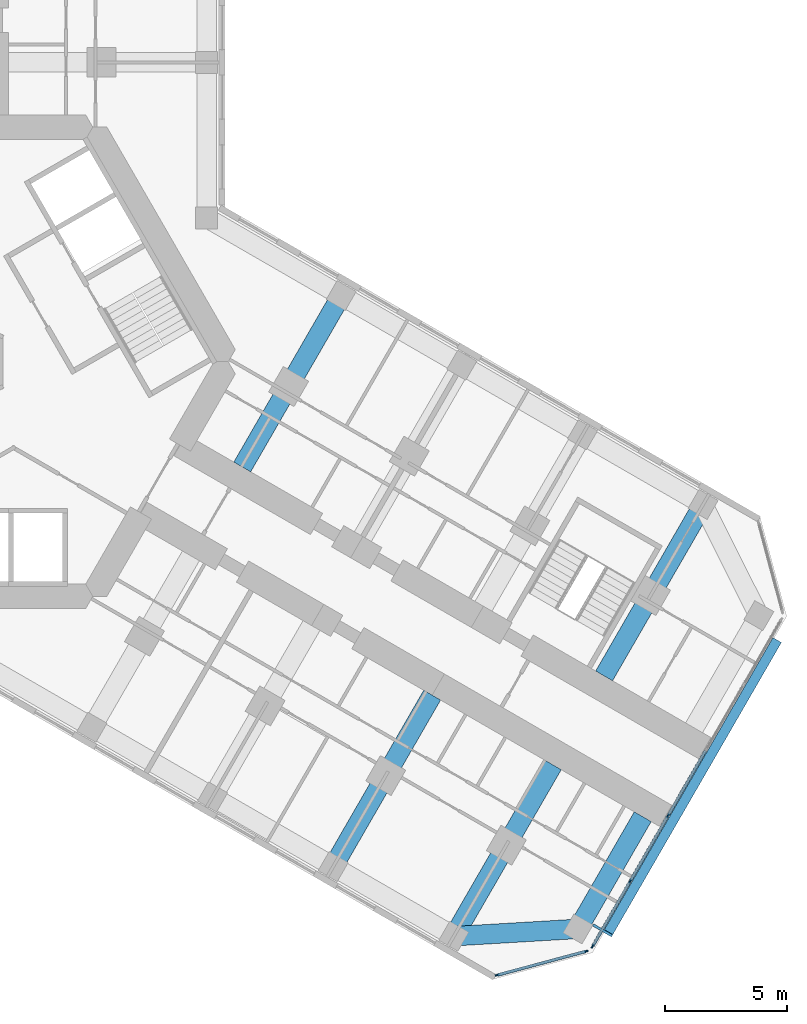
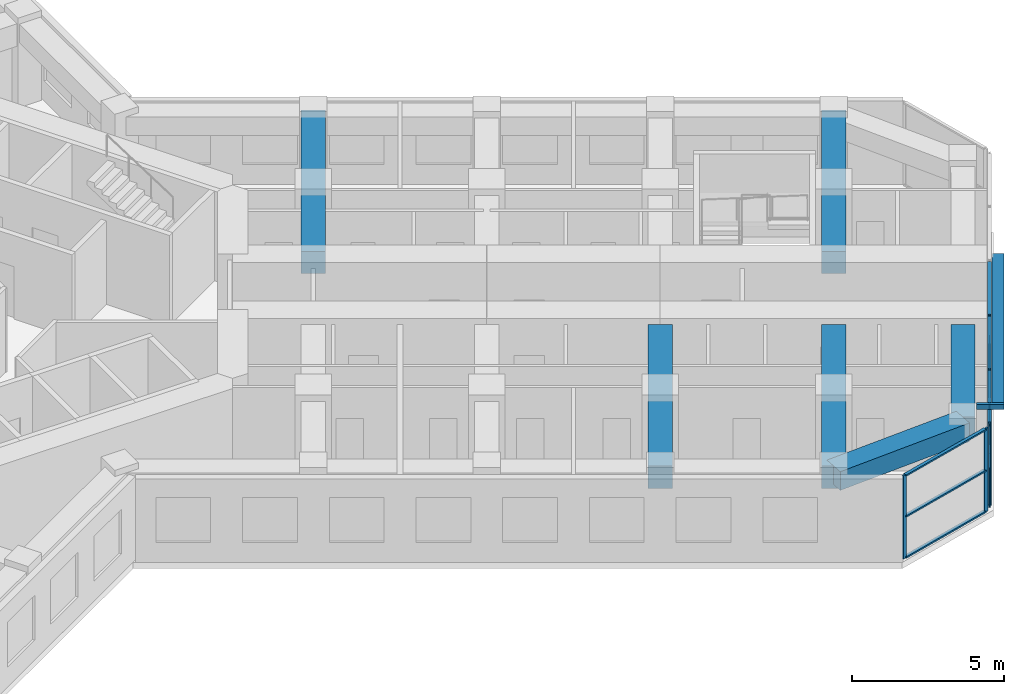
# One storey, part 5 of 21: 16 members, 6 beams, 2 elements without a shape of their own.
"""IFC4 building model written with IfcOpenShell, lengths in metres."""

from ifc_helpers import new_model, si_unit, direction, frame, origin, origin_2d, place, context, subcontext, project, spatial, rectangle, hollow_rectangle, extrude, material, material_profile, profile_set, type_object, element, aggregate, save


model = new_model("IFC4")

# Units and contexts
model_context = context("Model", 3, precision=1e-05, world=origin(), true_north=direction((0.0, 1.0)))
body_context = subcontext(model_context, "Body", "Model", "MODEL_VIEW")
ifc_project = project(units=[si_unit("LENGTHUNIT", "METRE"), si_unit("AREAUNIT", "SQUARE_METRE"), si_unit("VOLUMEUNIT", "CUBIC_METRE"), si_unit("PLANEANGLEUNIT", "RADIAN"), si_unit("MASSUNIT", "GRAM", prefix="KILO")], contexts=[model_context])

# Site, building, storey
site_placement = place(None, origin())
site = spatial("IfcSite", under=ifc_project, at=site_placement, CompositionType="ELEMENT")
building_placement = place(site_placement, origin())
building = spatial("IfcBuilding", under=site, at=building_placement, Name="Kosmar Iwan School Tower", CompositionType="ELEMENT")
storey_placement = place(building_placement, frame((0.0, 0.0, 80.800048828125)))
storey = spatial("IfcBuildingStorey", under=building, at=storey_placement, Name="L19", CompositionType="ELEMENT", Elevation=80.800048828125)

# Members
ifc_material_1 = material(Name="Black anodised aluminium", Category="aluminium")
ifc_material_profile_1 = material_profile(ifc_material_1, rectangle(XDim=0.10009765625, YDim=0.39990234375, at=origin_2d()), Name="FIN 100x400")
ifc_profile_set_1 = profile_set([ifc_material_profile_1], Name="Black anodised aluminium")
member_type_1 = type_object("IfcMemberType", Name="Diagonal fin 100x400", PredefinedType="USERDEFINED", material=ifc_profile_set_1)
member_1_placement = place(storey_placement, frame((33.54345703125, -11.40087890625, -0.150146484375), z_axis=(-0.483793446988, -0.837970316603, 0.25248692866), x_axis=(0.126241714543, 0.218661104574, 0.96760030532)))
element("IfcMember", 1, at=member_1_placement, inside=storey, type_object=member_type_1, Name="Diagonal fin L19-F03", ObjectType="FIN", PredefinedType="USERDEFINED", context=body_context, shape_type="SweptSolid", body=[
    extrude(rectangle(XDim=0.10009765625, YDim=0.39990234375, at=origin_2d()), origin(), (0.0, 0.0, 1.0), 14.258544921875),
])
ifc_material_2 = material(Name="Steel S355", Category="steel")
ifc_material_profile_2 = material_profile(ifc_material_2, hollow_rectangle(XDim=0.10009765625, YDim=0.199951171875, WallThickness=0.008056640625, at=origin_2d()), Name="RHS 200x100x8")
ifc_profile_set_2 = profile_set([ifc_material_profile_2], Name="Steel S355")
member_type_2 = type_object("IfcMemberType", Name="Fin bracket RHS 200x100", PredefinedType="USERDEFINED", material=ifc_profile_set_2)
member_2_placement = place(storey_placement, frame((26.01318359375, -23.0439453125, 3.474853515625), z_axis=(0.866013897511, -0.50001992892, 0.0), x_axis=(0.50001992892, 0.866013897511, 0.0)))
element("IfcMember", 2, at=member_2_placement, inside=storey, type_object=member_type_2, Name="Fin bracket L20", ObjectType="FIN BRACKET", PredefinedType="USERDEFINED", context=body_context, shape_type="SweptSolid", body=[
    extrude(hollow_rectangle(XDim=0.10009765625, YDim=0.199951171875, WallThickness=0.008056640625, at=origin_2d()), origin(), (0.0, 0.0, 1.0), 0.89990234375),
])

# Curtain wall, members
ifc_material_3 = material(Name="Dark glass in black aluminium frame", Category="aluminium")
curtain_wall_type_1 = type_object("IfcCurtainWallType", Name="Chamfer curtain wall dark glass", PredefinedType="USERDEFINED", material=ifc_material_3)
curtain_wall_1_placement = place(storey_placement, origin())
curtain_wall_1 = element("IfcCurtainWall", 3, at=curtain_wall_1_placement, inside=storey, type_object=curtain_wall_type_1, Name="Curtain wall L19-F02", ObjectType="FACETED CURTAIN WALL", PredefinedType="USERDEFINED")
ifc_material_4 = material(Name="Black anodised aluminium", Category="aluminium")
ifc_material_profile_3 = material_profile(ifc_material_4, rectangle(XDim=0.06005859375, YDim=0.159912109375, at=origin_2d()), Name="MULLION 60x160")
ifc_profile_set_3 = profile_set([ifc_material_profile_3], Name="Black anodised aluminium")
member_type_3 = type_object("IfcMemberType", Name="Mullion 60x160", PredefinedType="MULLION", material=ifc_profile_set_3)
member_3_placement = place(storey_placement, frame((22.0830078125, -25.102294921875, 0.0), z_axis=(0.0, 0.0, 1.0), x_axis=(-0.258818861462, 0.965925875495, 0.0)))
member_3 = element("IfcMember", 4, at=member_3_placement, type_object=member_type_3, Name="CW2 mullion 1", PredefinedType="MULLION", context=body_context, shape_type="SweptSolid", body=[
    extrude(rectangle(XDim=0.06005859375, YDim=0.159912109375, at=origin_2d()), origin(), (0.0, 0.0, 1.0), 3.349853515625),
])
member_4_placement = place(storey_placement, frame((25.733154296875, -24.124267578125, 0.0), z_axis=(0.0, 0.0, 1.0), x_axis=(-0.258818861462, 0.965925875495, 0.0)))
member_4 = element("IfcMember", 5, at=member_4_placement, type_object=member_type_3, Name="CW2 mullion 2", PredefinedType="MULLION", context=body_context, shape_type="SweptSolid", body=[
    extrude(rectangle(XDim=0.06005859375, YDim=0.159912109375, at=origin_2d()), origin(), (0.0, 0.0, 1.0), 3.349853515625),
])

ifc_material_5 = material(Name="Dark glass in black aluminium frame", Category="aluminium")
curtain_wall_type_2 = type_object("IfcCurtainWallType", Name="Tower curtain wall dark glass", PredefinedType="USERDEFINED", material=ifc_material_5)
curtain_wall_2_placement = place(storey_placement, origin())
curtain_wall_2 = element("IfcCurtainWall", 6, at=curtain_wall_2_placement, inside=storey, type_object=curtain_wall_type_2, Name="Curtain wall L19-F03", ObjectType="UNITISED CURTAIN WALL", PredefinedType="USERDEFINED")
member_5_placement = place(storey_placement, frame((25.9970703125, -23.921630859375, 0.0), z_axis=(0.0, 0.0, 1.0), x_axis=(-0.866025405329, 0.499999997325, 0.0)))
member_5 = element("IfcMember", 7, at=member_5_placement, type_object=member_type_3, Name="CW1 mullion 1", PredefinedType="MULLION", context=body_context, shape_type="SweptSolid", body=[
    extrude(rectangle(XDim=0.06005859375, YDim=0.159912109375, at=origin_2d()), origin(), (0.0, 0.0, 1.0), 3.349853515625),
])
member_6_placement = place(storey_placement, frame((27.53173828125, -21.263671875, 0.0), z_axis=(0.0, 0.0, 1.0), x_axis=(-0.866025405329, 0.499999997325, 0.0)))
member_6 = element("IfcMember", 8, at=member_6_placement, type_object=member_type_3, Name="CW1 mullion 2", PredefinedType="MULLION", context=body_context, shape_type="SweptSolid", body=[
    extrude(rectangle(XDim=0.06005859375, YDim=0.159912109375, at=origin_2d()), origin(), (0.0, 0.0, 1.0), 3.349853515625),
])
member_7_placement = place(storey_placement, frame((29.081298828125, -18.57958984375, 0.0), z_axis=(0.0, 0.0, 1.0), x_axis=(-0.866025405329, 0.499999997325, 0.0)))
member_7 = element("IfcMember", 9, at=member_7_placement, type_object=member_type_3, Name="CW1 mullion 3", PredefinedType="MULLION", context=body_context, shape_type="SweptSolid", body=[
    extrude(rectangle(XDim=0.06005859375, YDim=0.159912109375, at=origin_2d()), origin(), (0.0, 0.0, 1.0), 3.349853515625),
])

# Beams
ifc_material_6 = material(Name="Concrete C50/60", Category="concrete")
ifc_material_profile_4 = material_profile(ifc_material_6, rectangle(XDim=0.800048828125, YDim=0.75, at=origin_2d()), Name="RC 800x750")
ifc_profile_set_4 = profile_set([ifc_material_profile_4], Name="Concrete C50/60")
beam_type_1 = type_object("IfcBeamType", Name="RC tip beam 800x750", PredefinedType="BEAM", material=ifc_profile_set_4)
beam_1_placement = place(storey_placement, frame((20.31787109375, -23.508544921875, 2.974853515625), z_axis=(0.998260616478, 0.058955420358, 0.0), x_axis=(-0.058955420358, 0.998260616478, 0.0)))
element("IfcBeam", 10, at=beam_1_placement, inside=storey, type_object=beam_type_1, Name="Tip beam CR", PredefinedType="BEAM", context=body_context, shape_type="SweptSolid", body=[
    extrude(rectangle(XDim=0.800048828125, YDim=0.75, at=origin_2d()), origin(), (0.0, 0.0, 1.0), 5.08935546875),
])
beam_2_placement = place(storey_placement, frame((25.3984375, -23.20849609375, 2.974853515625), z_axis=(0.499993606316, 0.866029095148, 0.0), x_axis=(-0.866029095148, 0.499993606316, 0.0)))
element("IfcBeam", 11, at=beam_2_placement, inside=storey, type_object=beam_type_1, Name="Tip beam CR to corridor wall", PredefinedType="BEAM", context=body_context, shape_type="SweptSolid", body=[
    extrude(rectangle(XDim=0.800048828125, YDim=0.75, at=origin_2d()), origin(), (0.0, 0.0, 1.0), 5.2998046875),
])
ifc_material_7 = material(Name="Concrete C50/60", Category="concrete")
ifc_material_profile_5 = material_profile(ifc_material_7, rectangle(XDim=0.800048828125, YDim=0.89990234375, at=origin_2d()), Name="RC 800x900")
ifc_profile_set_5 = profile_set([ifc_material_profile_5], Name="Concrete C50/60")
beam_type_2 = type_object("IfcBeamType", Name="RC transverse beam 800x900", PredefinedType="BEAM", material=ifc_profile_set_5)
for number, where, z_axis, x_axis, name in (
    (12, (15.708740234375, 2.70849609375, 2.89990234375), (-0.499999880539, -0.866025472755, 0.0), (0.866025472755, -0.499999880539, 0.0), "Transverse beam CL1"),
    (13, (30.517822265625, -5.841552734375, 2.89990234375), (-0.499999880539, -0.866025472755, 0.0), (0.866025472755, -0.499999880539, 0.0), "Transverse beam CL4"),
    (14, (15.381591796875, -20.658447265625, 2.89990234375), (0.499977274689, 0.866038523851, 0.0), (-0.866038523851, 0.499977274689, 0.0), "Transverse beam CR3"),
    (15, (20.31787109375, -23.508544921875, 2.89990234375), (0.499999880539, 0.866025472755, 0.0), (-0.866025472755, 0.499999880539, 0.0), "Transverse beam CR4"),
):
    element("IfcBeam", number, at=place(storey_placement, frame(where, z_axis=z_axis, x_axis=x_axis)), inside=storey, type_object=beam_type_2, Name=name, PredefinedType="BEAM", context=body_context, shape_type="SweptSolid", body=[
        extrude(rectangle(XDim=0.800048828125, YDim=0.89990234375, at=origin_2d()), origin(), (0.0, 0.0, 1.0), 8.10009765625),
    ])

# Member
ifc_material_8 = material(Name="Black anodised aluminium", Category="aluminium")
ifc_material_profile_6 = material_profile(ifc_material_8, rectangle(XDim=0.1201171875, YDim=0.06005859375, at=origin_2d()), Name="TRANSOM 60x120")
ifc_profile_set_6 = profile_set([ifc_material_profile_6], Name="Black anodised aluminium")
member_type_4 = type_object("IfcMemberType", Name="Transom 60x120", PredefinedType="USERDEFINED", material=ifc_profile_set_6)
member_8_placement = place(storey_placement, frame((22.11181640625, -25.094482421875, 0.030029296875), z_axis=(0.965923731726, 0.258826861991, 0.0), x_axis=(-0.258826861991, 0.965923731726, 0.0)))
member_8 = element("IfcMember", 16, at=member_8_placement, type_object=member_type_4, Name="CW2 transom 1.1", ObjectType="TRANSOM", PredefinedType="USERDEFINED", context=body_context, shape_type="SweptSolid", body=[
    extrude(rectangle(XDim=0.1201171875, YDim=0.06005859375, at=origin_2d()), origin(), (0.0, 0.0, 1.0), 3.71923828125),
])

member_9_placement = place(storey_placement, frame((22.11181640625, -25.094482421875, 1.675048828125), z_axis=(0.965923731726, 0.258826861991, 0.0), x_axis=(-0.258826861991, 0.965923731726, 0.0)))
member_9 = element("IfcMember", 17, at=member_9_placement, type_object=member_type_4, Name="CW2 transom 1.2", ObjectType="TRANSOM", PredefinedType="USERDEFINED", context=body_context, shape_type="SweptSolid", body=[
    extrude(rectangle(XDim=0.1201171875, YDim=0.06005859375, at=origin_2d()), origin(), (0.0, 0.0, 1.0), 3.71923828125),
])

member_10_placement = place(storey_placement, frame((22.11181640625, -25.094482421875, 3.320068359375), z_axis=(0.965923731726, 0.258826861991, 0.0), x_axis=(-0.258826861991, 0.965923731726, 0.0)))
member_10 = element("IfcMember", 18, at=member_10_placement, type_object=member_type_4, Name="CW2 transom 1.3", ObjectType="TRANSOM", PredefinedType="USERDEFINED", context=body_context, shape_type="SweptSolid", body=[
    extrude(rectangle(XDim=0.1201171875, YDim=0.06005859375, at=origin_2d()), origin(), (0.0, 0.0, 1.0), 3.71923828125),
])

aggregate(curtain_wall_1, [member_3, member_4, member_8, member_9, member_10])

member_11_placement = place(storey_placement, frame((26.01220703125, -23.895751953125, 0.030029296875), z_axis=(0.499986971506, 0.866032925658, 0.0), x_axis=(-0.866032925658, 0.499986971506, 0.0)))
member_11 = element("IfcMember", 19, at=member_11_placement, type_object=member_type_4, Name="CW1 transom 1.1", ObjectType="TRANSOM", PredefinedType="USERDEFINED", context=body_context, shape_type="SweptSolid", body=[
    extrude(rectangle(XDim=0.1201171875, YDim=0.06005859375, at=origin_2d()), origin(), (0.0, 0.0, 1.0), 3.00927734375),
])

member_12_placement = place(storey_placement, frame((26.01220703125, -23.895751953125, 3.320068359375), z_axis=(0.499986971506, 0.866032925658, 0.0), x_axis=(-0.866032925658, 0.499986971506, 0.0)))
member_12 = element("IfcMember", 20, at=member_12_placement, type_object=member_type_4, Name="CW1 transom 1.2", ObjectType="TRANSOM", PredefinedType="USERDEFINED", context=body_context, shape_type="SweptSolid", body=[
    extrude(rectangle(XDim=0.1201171875, YDim=0.06005859375, at=origin_2d()), origin(), (0.0, 0.0, 1.0), 3.00927734375),
])

member_13_placement = place(storey_placement, frame((27.546875, -21.237548828125, 0.030029296875), z_axis=(0.499975102327, 0.866039777986, 0.0), x_axis=(-0.866039777986, 0.499975102327, 0.0)))
member_13 = element("IfcMember", 21, at=member_13_placement, type_object=member_type_4, Name="CW1 transom 2.1", ObjectType="TRANSOM", PredefinedType="USERDEFINED", context=body_context, shape_type="SweptSolid", body=[
    extrude(rectangle(XDim=0.1201171875, YDim=0.06005859375, at=origin_2d()), origin(), (0.0, 0.0, 1.0), 3.039306640625),
])

member_14_placement = place(storey_placement, frame((27.546875, -21.237548828125, 3.320068359375), z_axis=(0.499975102327, 0.866039777986, 0.0), x_axis=(-0.866039777986, 0.499975102327, 0.0)))
member_14 = element("IfcMember", 22, at=member_14_placement, type_object=member_type_4, Name="CW1 transom 2.2", ObjectType="TRANSOM", PredefinedType="USERDEFINED", context=body_context, shape_type="SweptSolid", body=[
    extrude(rectangle(XDim=0.1201171875, YDim=0.06005859375, at=origin_2d()), origin(), (0.0, 0.0, 1.0), 3.039306640625),
])

member_15_placement = place(storey_placement, frame((29.096435546875, -18.553466796875, 0.030029296875), z_axis=(0.499975102327, 0.866039777986, 0.0), x_axis=(-0.866039777986, 0.499975102327, 0.0)))
member_15 = element("IfcMember", 23, at=member_15_placement, type_object=member_type_4, Name="CW1 transom 3.1", ObjectType="TRANSOM", PredefinedType="USERDEFINED", context=body_context, shape_type="SweptSolid", body=[
    extrude(rectangle(XDim=0.1201171875, YDim=0.06005859375, at=origin_2d()), origin(), (0.0, 0.0, 1.0), 3.039306640625),
])

member_16_placement = place(storey_placement, frame((29.096435546875, -18.553466796875, 3.320068359375), z_axis=(0.499975102327, 0.866039777986, 0.0), x_axis=(-0.866039777986, 0.499975102327, 0.0)))
member_16 = element("IfcMember", 24, at=member_16_placement, type_object=member_type_4, Name="CW1 transom 3.2", ObjectType="TRANSOM", PredefinedType="USERDEFINED", context=body_context, shape_type="SweptSolid", body=[
    extrude(rectangle(XDim=0.1201171875, YDim=0.06005859375, at=origin_2d()), origin(), (0.0, 0.0, 1.0), 3.039306640625),
])

aggregate(curtain_wall_2, [member_5, member_6, member_7, member_11, member_12, member_13, member_14, member_15, member_16])

save(model, "model.ifc")
